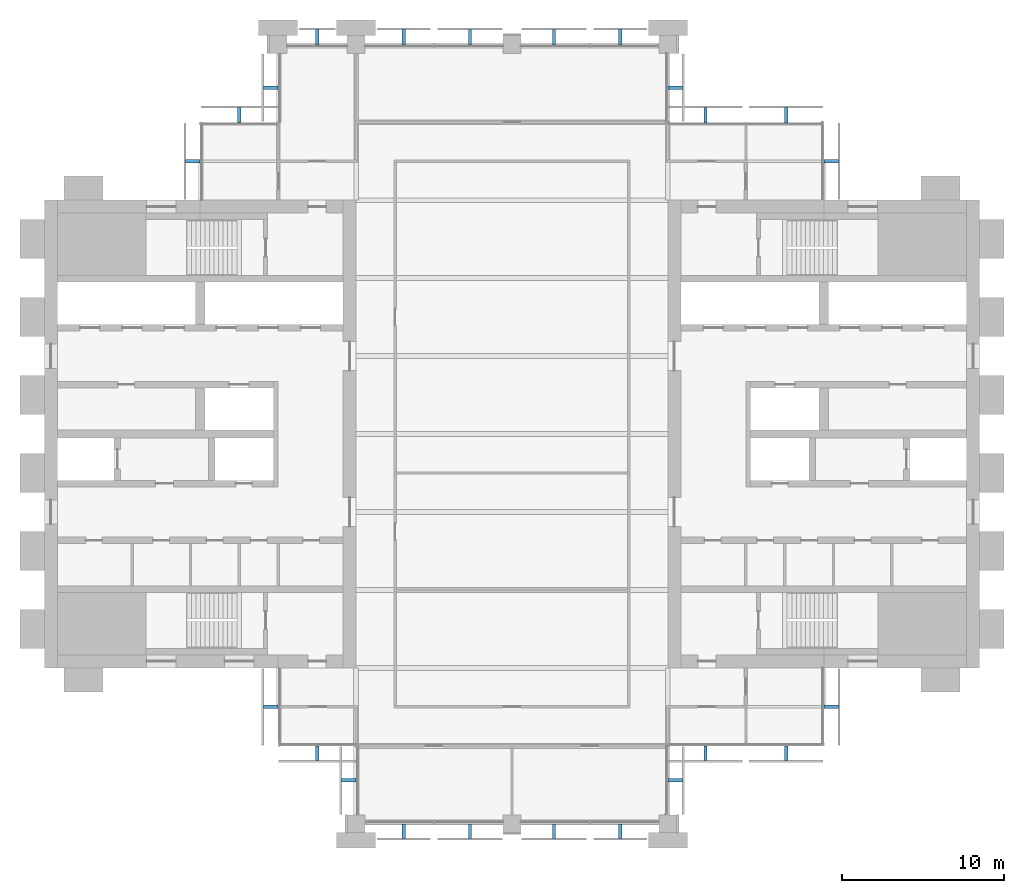
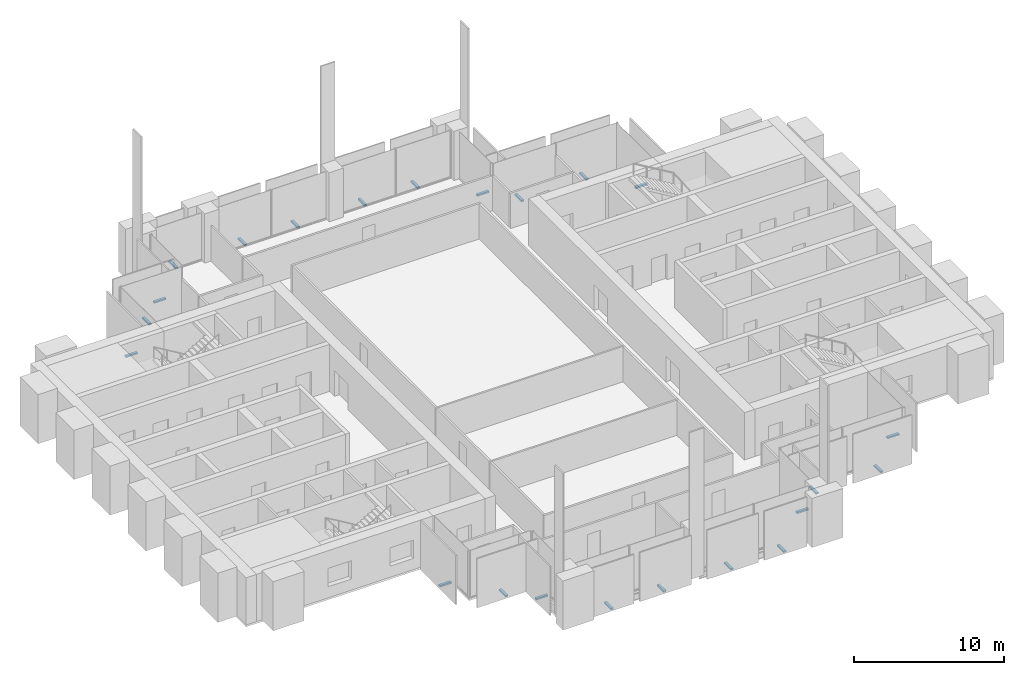
# One storey, part 12 of 13: 23 discrete accessories.
"""IFC4 building model written with IfcOpenShell, lengths in metres."""

from ifc_helpers import new_model, si_unit, direction, frame, origin, origin_2d, place, context, subcontext, project, spatial, rectangle, extrude, material, type_object, element, save


model = new_model("IFC4")

# Units and contexts
model_context = context("Model", 3, precision=1e-05, world=origin(), true_north=direction((0.0, 1.0)))
body_context = subcontext(model_context, "Body", "Model", "MODEL_VIEW")
ifc_project = project(units=[si_unit("LENGTHUNIT", "METRE"), si_unit("AREAUNIT", "SQUARE_METRE"), si_unit("VOLUMEUNIT", "CUBIC_METRE"), si_unit("PLANEANGLEUNIT", "RADIAN"), si_unit("MASSUNIT", "GRAM", prefix="KILO")], contexts=[model_context])

# Site, building, storey
site_placement = place(None, origin())
site = spatial("IfcSite", under=ifc_project, at=site_placement, CompositionType="ELEMENT")
building_placement = place(site_placement, origin())
building = spatial("IfcBuilding", under=site, at=building_placement, Name="Baori Bourse Tower", CompositionType="ELEMENT")
storey_placement = place(building_placement, frame((0.0, 0.0, 213.199951171875)))
storey = spatial("IfcBuildingStorey", under=building, at=storey_placement, Name="L46", CompositionType="ELEMENT", Elevation=213.199951171875)

# Discrete accessories
ifc_material = material(Name="Pale anodised aluminium", Category="aluminium")
discrete_accessory_type = type_object("IfcDiscreteAccessoryType", Name="OS2 Outer skin bracket", PredefinedType="BRACKET", material=ifc_material)
for number, where, z_axis, x_axis, name in (
    (1, (48.449951171875, 40.800048828125, -0.143798828125), (0.0, 0.0, 1.0), (0.0, 1.0, 0.0), "Outer skin bracket L46 1"),
    (2, (45.6875, 43.64990234375, -0.143798828125), (0.0, 0.0, 1.0), (-1.0, 0.0, 0.0), "Outer skin bracket L46 2"),
    (3, (40.71240234375, 43.64990234375, -0.143798828125), (0.0, 0.0, 1.0), (-1.0, 0.0, 0.0), "Outer skin bracket L46 3"),
    (4, (38.85009765625, 45.324951171875, -0.143798828125), (0.0, 0.0, 1.0), (0.0, 1.0, 0.0), "Outer skin bracket L46 4"),
    (5, (35.46240234375, 48.449951171875, -0.143798828125), (0.0, 0.0, 1.0), (-1.0, 0.0, 0.0), "Outer skin bracket L46 5"),
    (6, (31.387451171875, 48.449951171875, -0.143798828125), (0.0, 0.0, 1.0), (-1.0, 0.0, 0.0), "Outer skin bracket L46 6"),
    (7, (26.21240234375, 48.449951171875, -0.143798828125), (0.0, 0.0, 1.0), (-1.0, 0.0, 0.0), "Outer skin bracket L46 7"),
    (8, (22.137451171875, 48.449951171875, -0.143798828125), (0.0, 0.0, 1.0), (-1.0, 0.0, 0.0), "Outer skin bracket L46 8"),
    (9, (16.800048828125, 48.449951171875, -0.143798828125), (0.0, 0.0, 1.0), (-1.0, 0.0, 0.0), "Outer skin bracket L46 9"),
    (10, (13.949951171875, 45.324951171875, -0.143798828125), (0.0, 0.0, 1.0), (0.0, -1.0, 0.0), "Outer skin bracket L46 10"),
    (11, (12.0, 43.64990234375, -0.143798828125), (0.0, 0.0, 1.0), (-1.0, 0.0, 0.0), "Outer skin bracket L46 11"),
    (12, (9.14990234375, 40.800048828125, -0.143798828125), (0.0, 0.0, 1.0), (0.0, -1.0, 0.0), "Outer skin bracket L46 12"),
    (13, (13.949951171875, 7.199951171875, -0.143798828125), (0.0, 0.0, 1.0), (0.0, -1.0, 0.0), "Outer skin bracket L46 13"),
    (14, (16.800048828125, 4.35009765625, -0.143798828125), (0.0, 0.0, 1.0), (1.0, 0.0, 0.0), "Outer skin bracket L46 14"),
    (15, (18.75, 2.675048828125, -0.143798828125), (0.0, 0.0, 1.0), (0.0, -1.0, 0.0), "Outer skin bracket L46 15"),
    (16, (22.137451171875, -0.449951171875, -0.143798828125), (0.0, 0.0, 1.0), (1.0, 0.0, 0.0), "Outer skin bracket L46 16"),
    (17, (26.21240234375, -0.449951171875, -0.143798828125), (0.0, 0.0, 1.0), (1.0, 0.0, 0.0), "Outer skin bracket L46 17"),
    (18, (31.387451171875, -0.449951171875, -0.143798828125), (0.0, 0.0, 1.0), (1.0, 0.0, 0.0), "Outer skin bracket L46 18"),
    (19, (35.46240234375, -0.449951171875, -0.143798828125), (0.0, 0.0, 1.0), (1.0, 0.0, 0.0), "Outer skin bracket L46 19"),
    (20, (38.85009765625, 2.675048828125, -0.143798828125), (0.0, 0.0, 1.0), (0.0, 1.0, 0.0), "Outer skin bracket L46 20"),
    (21, (40.71240234375, 4.35009765625, -0.143798828125), (0.0, 0.0, 1.0), (1.0, 0.0, 0.0), "Outer skin bracket L46 21"),
    (22, (45.6875, 4.35009765625, -0.143798828125), (0.0, 0.0, 1.0), (1.0, 0.0, 0.0), "Outer skin bracket L46 22"),
    (23, (48.449951171875, 7.199951171875, -0.143798828125), (0.0, 0.0, 1.0), (0.0, 1.0, 0.0), "Outer skin bracket L46 23"),
):
    element("IfcDiscreteAccessory", number, at=place(storey_placement, frame(where, z_axis=z_axis, x_axis=x_axis)), inside=storey, type_object=discrete_accessory_type, Name=name, PredefinedType="BRACKET", context=body_context, shape_type="SweptSolid", body=[
        extrude(rectangle(XDim=0.199951171875, YDim=0.89990234375, at=origin_2d()), origin(), (0.0, 0.0, 1.0), 0.1279296875),
    ])

save(model, "model.ifc")
